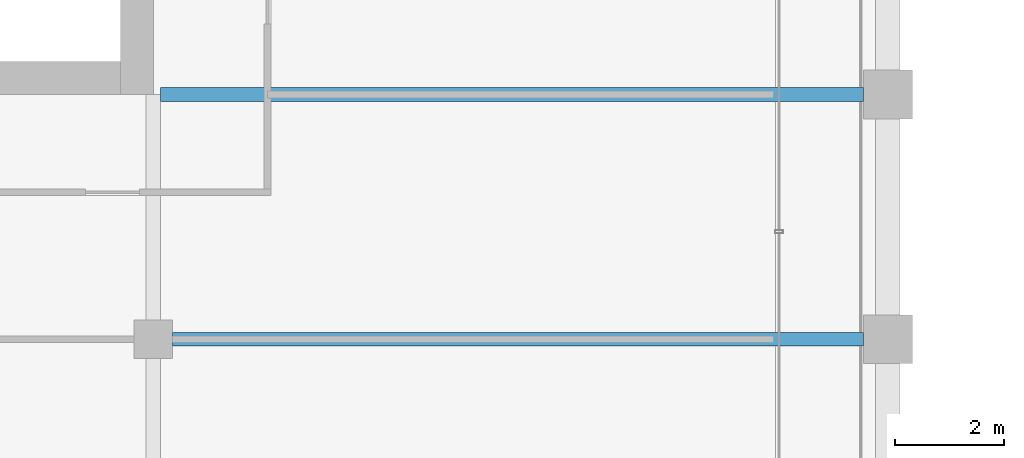
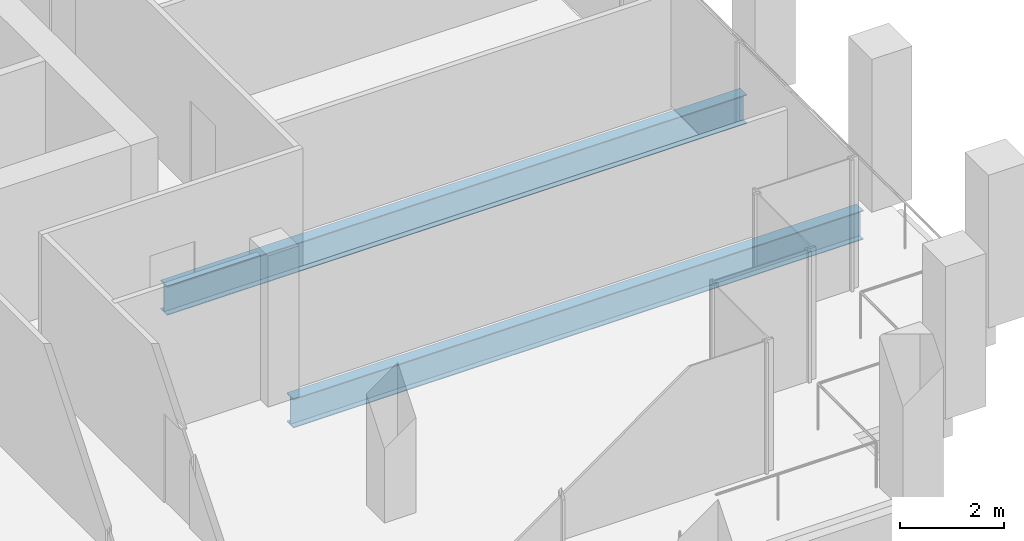
# One storey, part 14 of 40: 2 beams.
"""IFC4 building model written with IfcOpenShell, lengths in metres."""

from ifc_helpers import new_model, si_unit, direction, frame, origin, origin_2d, place, context, subcontext, project, spatial, i_section, extrude, material, material_profile, profile_set, type_object, element, save


model = new_model("IFC4")

# Units and contexts
model_context = context("Model", 3, precision=1e-05, world=origin(), true_north=direction((0.0, 1.0)))
body_context = subcontext(model_context, "Body", "Model", "MODEL_VIEW")
ifc_project = project(units=[si_unit("LENGTHUNIT", "METRE"), si_unit("AREAUNIT", "SQUARE_METRE"), si_unit("VOLUMEUNIT", "CUBIC_METRE"), si_unit("PLANEANGLEUNIT", "RADIAN"), si_unit("MASSUNIT", "GRAM", prefix="KILO")], contexts=[model_context])

# Site, building, storey
site_placement = place(None, origin())
site = spatial("IfcSite", under=ifc_project, at=site_placement, CompositionType="ELEMENT")
building_placement = place(site_placement, origin())
building = spatial("IfcBuilding", under=site, at=building_placement, Name="Altepetl Exchange Towers", CompositionType="ELEMENT")
storey_placement = place(building_placement, frame((0.0, 0.0, 147.39990234375)))
storey = spatial("IfcBuildingStorey", under=building, at=storey_placement, Name="L36", CompositionType="ELEMENT", Elevation=147.39990234375)

# Beams
ifc_material = material(Name="Steel S355", Category="steel")
ifc_material_profile = material_profile(ifc_material, i_section(OverallWidth=0.25390625, OverallDepth=0.68408203125, WebThickness=0.012451171875, FlangeThickness=0.018798828125, at=origin_2d()), Name="W27X94")
ifc_profile_set = profile_set([ifc_material_profile], Name="Steel S355")
beam_type = type_object("IfcBeamType", Name="Floor beam W27X94", PredefinedType="BEAM", material=ifc_profile_set)
beam_1_placement = place(storey_placement, frame((58.85009765625, 36.0, -0.491943359375), z_axis=(1.0, 0.0, 0.0), x_axis=(0.0, 1.0, 0.0)))
element("IfcBeam", 1, at=beam_1_placement, inside=storey, type_object=beam_type, Name="bm:A:L36:007", PredefinedType="BEAM", context=body_context, shape_type="SweptSolid", body=[
    extrude(i_section(OverallWidth=0.25390625, OverallDepth=0.68408203125, WebThickness=0.012451171875, FlangeThickness=0.018798828125, at=origin_2d()), origin(), (0.0, 0.0, 1.0), 12.699951171875),
])
beam_2_placement = place(storey_placement, frame((58.634033203125, 40.5, -0.491943359375), z_axis=(1.0, 0.0, 0.0), x_axis=(0.0, 1.0, 0.0)))
element("IfcBeam", 2, at=beam_2_placement, inside=storey, type_object=beam_type, Name="bm:A:L36:008", PredefinedType="BEAM", context=body_context, shape_type="SweptSolid", body=[
    extrude(i_section(OverallWidth=0.25390625, OverallDepth=0.68408203125, WebThickness=0.012451171875, FlangeThickness=0.018798828125, at=origin_2d()), origin(), (0.0, 0.0, 1.0), 12.916015625),
])

save(model, "model.ifc")
